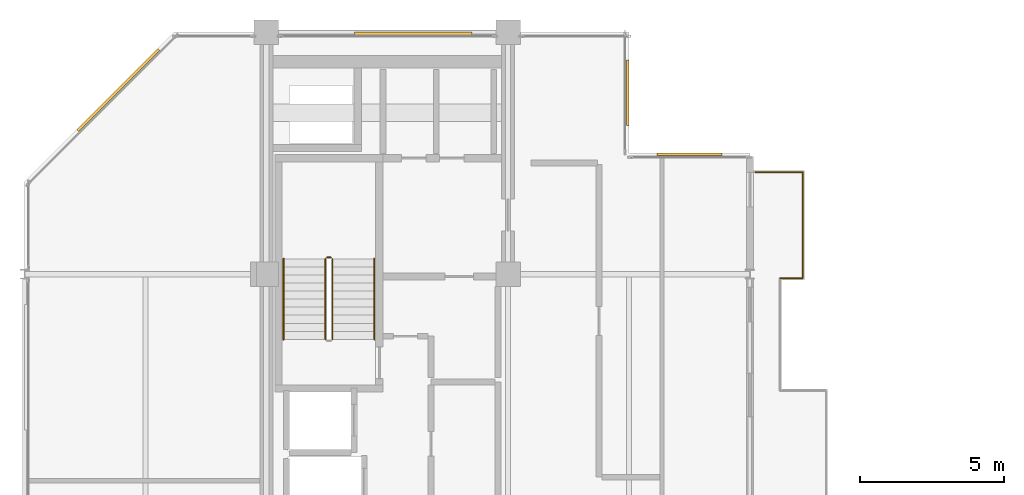
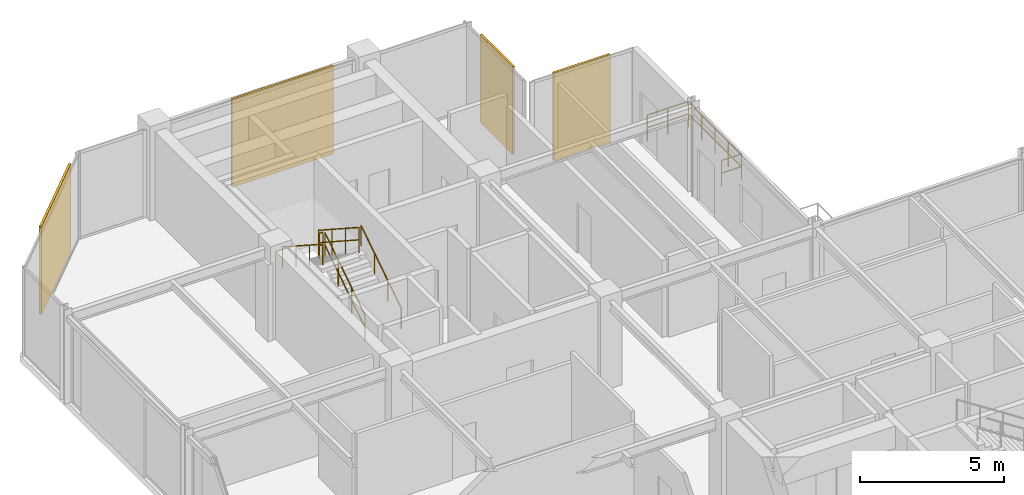
# One storey, part 24 of 24: 8 railings, 4 coverings.
"""IFC4 building model written with IfcOpenShell, lengths in metres."""

from ifc_helpers import new_model, si_unit, direction, frame, origin, origin_2d, place, context, subcontext, project, spatial, rectangle, circle, extrude, material, layer, layer_set, type_object, element, save


model = new_model("IFC4")

# Units and contexts
model_context = context("Model", 3, precision=1e-05, world=origin(), true_north=direction((0.0, 1.0)))
body_context = subcontext(model_context, "Body", "Model", "MODEL_VIEW")
ifc_project = project(units=[si_unit("LENGTHUNIT", "METRE"), si_unit("AREAUNIT", "SQUARE_METRE"), si_unit("VOLUMEUNIT", "CUBIC_METRE"), si_unit("PLANEANGLEUNIT", "RADIAN"), si_unit("MASSUNIT", "GRAM", prefix="KILO")], contexts=[model_context])

# Site, building, storey
site_placement = place(None, origin())
site = spatial("IfcSite", under=ifc_project, at=site_placement, CompositionType="ELEMENT")
building_placement = place(site_placement, origin())
building = spatial("IfcBuilding", under=site, at=building_placement, Name="Nerrivon Quay Data Exchange", CompositionType="ELEMENT")
storey_placement = place(building_placement, frame((0.0, 0.0, 298.199951171875)))
storey = spatial("IfcBuildingStorey", under=building, at=storey_placement, Name="L71", CompositionType="ELEMENT", Elevation=298.199951171875)

# Coverings
ifc_material_1 = material(Name="Architectural terracotta ceramic", Category="masonry")
ifc_layer = layer(ifc_material_1, 0.090087890625)
ifc_layer_set = layer_set([ifc_layer], Name="Architectural terracotta ceramic")
covering_type = type_object("IfcCoveringType", Name="COV-SCR-TERR", PredefinedType="CLADDING", material=ifc_layer_set)
covering_1_placement = place(storey_placement, frame((3.255859375, 39.9921875, 0.0), z_axis=(0.0, 0.0, 1.0), x_axis=(0.707106781187, 0.707106781187, 0.0)))
element("IfcCovering", 1, at=covering_1_placement, inside=storey, type_object=covering_type, Name="L71 Perforated Terracotta SOLAR SCREEN Cassette", PredefinedType="CLADDING", context=body_context, shape_type="SweptSolid", body=[
    extrude(rectangle(XDim=3.970947265625, YDim=0.090087890625, at=origin_2d()), origin(), (0.0, 0.0, 1.0), 3.72509765625),
])
covering_2_placement = place(storey_placement, frame((13.506103515625, 41.955078125, 0.0), z_axis=(0.0, 0.0, 1.0), x_axis=(1.0, 0.0, 0.0)))
element("IfcCovering", 2, at=covering_2_placement, inside=storey, type_object=covering_type, Name="L71 Perforated Terracotta SOLAR SCREEN Cassette", PredefinedType="CLADDING", context=body_context, shape_type="SweptSolid", body=[
    extrude(rectangle(XDim=4.076904296875, YDim=0.090087890625, at=origin_2d()), origin(), (0.0, 0.0, 1.0), 3.72509765625),
])
for number, where, z_axis, x_axis, name in (
    (3, (20.955078125, 39.89990234375, 0.0), (0.0, 0.0, 1.0), (0.0, -1.0, 0.0), "L71 Perforated Terracotta SOLAR SCREEN Cassette"),
    (4, (23.10009765625, 37.7548828125, 0.0), (0.0, 0.0, 1.0), (1.0, 0.0, 0.0), "L71 Perforated Terracotta SOLAR SCREEN Cassette"),
):
    element("IfcCovering", number, at=place(storey_placement, frame(where, z_axis=z_axis, x_axis=x_axis)), inside=storey, type_object=covering_type, Name=name, PredefinedType="CLADDING", context=body_context, shape_type="SweptSolid", body=[
        extrude(rectangle(XDim=2.26806640625, YDim=0.090087890625, at=origin_2d()), origin(), (0.0, 0.0, 1.0), 3.72509765625),
    ])

# Railings
ifc_material_2 = material(Name="Steel Grade C350L0 (350 MPa)", Category="steel")
railing_type_1 = type_object("IfcRailingType", Name="RAIL-GUARD-GR2", PredefinedType="BALUSTRADE", material=ifc_material_2)
railing_1_placement = place(storey_placement, frame((25.3798828125, 37.139892578125, 0.0)))
element("IfcRailing", 5, at=railing_1_placement, inside=storey, type_object=railing_type_1, Name="L71 Verandah Balcony Guard 1.4 1", PredefinedType="BALUSTRADE", context=body_context, shape_type="SweptSolid", body=[
    extrude(circle(Radius=0.02392578125, at=origin_2d()), frame((0.0, 0.0, 1.09619140625), z_axis=(1.0, 0.0, 0.0), x_axis=(0.0, 1.0, 0.0)), (0.0, 0.0, 1.0), 1.66015625),
    extrude(circle(Radius=0.02392578125, at=origin_2d()), frame((0.0, 0.0, 0.56005859375), z_axis=(1.0, 0.0, 0.0), x_axis=(0.0, 1.0, 0.0)), (0.0, 0.0, 1.0), 1.66015625),
    extrude(circle(Radius=0.02099609375, at=origin_2d()), origin(), (0.0, 0.0, 1.0), 1.072021484375),
    extrude(circle(Radius=0.02099609375, at=origin_2d()), frame((0.830078125, 0.0, 0.0)), (0.0, 0.0, 1.0), 1.072021484375),
    extrude(circle(Radius=0.02099609375, at=origin_2d()), frame((1.66015625, 0.0, 0.0)), (0.0, 0.0, 1.0), 1.072021484375),
])
railing_2_placement = place(storey_placement, frame((27.0400390625, 37.139892578125, 0.0)))
element("IfcRailing", 6, at=railing_2_placement, inside=storey, type_object=railing_type_1, Name="L71 Verandah Balcony Guard 1.5 1", PredefinedType="BALUSTRADE", context=body_context, shape_type="SweptSolid", body=[
    extrude(circle(Radius=0.02392578125, at=origin_2d()), frame((0.0, 0.0, 1.09619140625), z_axis=(0.0, -1.0, 0.0), x_axis=(1.0, 0.0, 0.0)), (0.0, 0.0, 1.0), 3.679931640625),
    extrude(circle(Radius=0.02392578125, at=origin_2d()), frame((0.0, 0.0, 0.56005859375), z_axis=(0.0, -1.0, 0.0), x_axis=(1.0, 0.0, 0.0)), (0.0, 0.0, 1.0), 3.679931640625),
    extrude(circle(Radius=0.02099609375, at=origin_2d()), origin(), (0.0, 0.0, 1.0), 1.072021484375),
    extrude(circle(Radius=0.02099609375, at=origin_2d()), frame((0.0, -0.919921875, 0.0)), (0.0, 0.0, 1.0), 1.072021484375),
    extrude(circle(Radius=0.02099609375, at=origin_2d()), frame((0.0, -1.83984375, 0.0)), (0.0, 0.0, 1.0), 1.072021484375),
    extrude(circle(Radius=0.02099609375, at=origin_2d()), frame((0.0, -2.760009765625, 0.0)), (0.0, 0.0, 1.0), 1.072021484375),
    extrude(circle(Radius=0.02099609375, at=origin_2d()), frame((0.0, -3.679931640625, 0.0)), (0.0, 0.0, 1.0), 1.072021484375),
])
railing_3_placement = place(storey_placement, frame((27.0400390625, 33.4599609375, 0.0)))
element("IfcRailing", 7, at=railing_3_placement, inside=storey, type_object=railing_type_1, Name="L71 Verandah Balcony Guard 1.6 1", PredefinedType="BALUSTRADE", context=body_context, shape_type="SweptSolid", body=[
    extrude(circle(Radius=0.02392578125, at=origin_2d()), frame((0.0, 0.0, 1.09619140625), z_axis=(-1.0, 0.0, 0.0), x_axis=(0.0, -1.0, 0.0)), (0.0, 0.0, 1.0), 0.800048828125),
    extrude(circle(Radius=0.02392578125, at=origin_2d()), frame((0.0, 0.0, 0.56005859375), z_axis=(-1.0, 0.0, 0.0), x_axis=(0.0, -1.0, 0.0)), (0.0, 0.0, 1.0), 0.800048828125),
    extrude(circle(Radius=0.02099609375, at=origin_2d()), origin(), (0.0, 0.0, 1.0), 1.072021484375),
    extrude(circle(Radius=0.02099609375, at=origin_2d()), frame((-0.800048828125, 0.0, 0.0)), (0.0, 0.0, 1.0), 1.072021484375),
])
railing_type_2 = type_object("IfcRailingType", Name="RAIL-HAND-HR1", PredefinedType="HANDRAIL", material=ifc_material_2)
railing_4_placement = place(storey_placement, frame((12.14990234375, 31.330078125, 0.181884765625)))
element("IfcRailing", 8, at=railing_4_placement, inside=storey, type_object=railing_type_2, Name="L71 ST01 stair handrail 1", PredefinedType="HANDRAIL", context=body_context, shape_type="SweptSolid", body=[
    extrude(circle(Radius=0.02392578125, at=origin_2d()), frame((0.0, 0.0, 0.8759765625), z_axis=(0.0, 0.83868413941, 0.544618136222), x_axis=(-1.0, 0.0, 0.0)), (0.0, 0.0, 1.0), 3.33837890625),
    extrude(circle(Radius=0.02099609375, at=origin_2d()), origin(), (0.0, 0.0, 1.0), 0.851806640625),
    extrude(circle(Radius=0.02099609375, at=origin_2d()), frame((0.0, 0.933349609375, 0.60595703125)), (0.0, 0.0, 1.0), 0.851806640625),
    extrude(circle(Radius=0.02099609375, at=origin_2d()), frame((0.0, 1.866455078125, 1.212158203125)), (0.0, 0.0, 1.0), 0.851806640625),
    extrude(circle(Radius=0.02099609375, at=origin_2d()), frame((0.0, 2.7998046875, 1.818115234375)), (0.0, 0.0, 1.0), 0.851806640625),
])
railing_5_placement = place(storey_placement, frame((9.0, 34.1298828125, 2.181884765625)))
element("IfcRailing", 9, at=railing_5_placement, inside=storey, type_object=railing_type_2, Name="L71 ST01 stair handrail 2", PredefinedType="HANDRAIL", context=body_context, shape_type="SweptSolid", body=[
    extrude(circle(Radius=0.02392578125, at=origin_2d()), frame((0.0, 0.0, 0.8759765625), z_axis=(0.0, -0.83868413941, 0.544618136222), x_axis=(1.0, 0.0, 0.0)), (0.0, 0.0, 1.0), 3.33837890625),
    extrude(circle(Radius=0.02099609375, at=origin_2d()), origin(), (0.0, 0.0, 1.0), 0.851806640625),
    extrude(circle(Radius=0.02099609375, at=origin_2d()), frame((0.0, -0.933349609375, 0.60595703125)), (0.0, 0.0, 1.0), 0.851806640625),
    extrude(circle(Radius=0.02099609375, at=origin_2d()), frame((0.0, -1.866455078125, 1.212158203125)), (0.0, 0.0, 1.0), 0.851806640625),
    extrude(circle(Radius=0.02099609375, at=origin_2d()), frame((0.0, -2.7998046875, 1.818115234375)), (0.0, 0.0, 1.0), 0.851806640625),
])
railing_type_3 = type_object("IfcRailingType", Name="RAIL-STAIR-GR1", PredefinedType="BALUSTRADE", material=ifc_material_2)
railing_6_placement = place(storey_placement, frame((10.699951171875, 31.330078125, 0.181884765625)))
element("IfcRailing", 10, at=railing_6_placement, inside=storey, type_object=railing_type_3, Name="L71 ST01 stair guard 1", PredefinedType="BALUSTRADE", context=body_context, shape_type="SweptSolid", body=[
    extrude(circle(Radius=0.02392578125, at=origin_2d()), frame((0.0, 0.0, 1.076171875), z_axis=(0.0, 0.83868413941, 0.544618136222), x_axis=(-1.0, 0.0, 0.0)), (0.0, 0.0, 1.0), 3.33837890625),
    extrude(circle(Radius=0.02392578125, at=origin_2d()), frame((0.0, 0.0, 0.550048828125), z_axis=(0.0, 0.83868413941, 0.544618136222), x_axis=(-1.0, 0.0, 0.0)), (0.0, 0.0, 1.0), 3.33837890625),
    extrude(circle(Radius=0.02099609375, at=origin_2d()), origin(), (0.0, 0.0, 1.0), 1.052001953125),
    extrude(circle(Radius=0.02099609375, at=origin_2d()), frame((0.0, 0.933349609375, 0.60595703125)), (0.0, 0.0, 1.0), 1.052001953125),
    extrude(circle(Radius=0.02099609375, at=origin_2d()), frame((0.0, 1.866455078125, 1.212158203125)), (0.0, 0.0, 1.0), 1.052001953125),
    extrude(circle(Radius=0.02099609375, at=origin_2d()), frame((0.0, 2.7998046875, 1.818115234375)), (0.0, 0.0, 1.0), 1.052001953125),
])
railing_7_placement = place(storey_placement, frame((10.64990234375, 34.179931640625, 2.0)))
element("IfcRailing", 11, at=railing_7_placement, inside=storey, type_object=railing_type_3, Name="L71 ST01 stair guard 2", PredefinedType="BALUSTRADE", context=body_context, shape_type="SweptSolid", body=[
    extrude(circle(Radius=0.02392578125, at=origin_2d()), frame((0.0, 0.0, 1.076171875), z_axis=(-1.0, 0.0, 0.0), x_axis=(0.0, -1.0, 0.0)), (0.0, 0.0, 1.0), 0.14990234375),
    extrude(circle(Radius=0.02392578125, at=origin_2d()), frame((0.0, 0.0, 0.550048828125), z_axis=(-1.0, 0.0, 0.0), x_axis=(0.0, -1.0, 0.0)), (0.0, 0.0, 1.0), 0.14990234375),
    extrude(circle(Radius=0.02099609375, at=origin_2d()), origin(), (0.0, 0.0, 1.0), 1.052001953125),
    extrude(circle(Radius=0.02099609375, at=origin_2d()), frame((-0.14990234375, 0.0, 0.0)), (0.0, 0.0, 1.0), 1.052001953125),
])
railing_8_placement = place(storey_placement, frame((10.449951171875, 34.1298828125, 2.181884765625)))
element("IfcRailing", 12, at=railing_8_placement, inside=storey, type_object=railing_type_3, Name="L71 ST01 stair guard 3", PredefinedType="BALUSTRADE", context=body_context, shape_type="SweptSolid", body=[
    extrude(circle(Radius=0.02392578125, at=origin_2d()), frame((0.0, 0.0, 1.076171875), z_axis=(0.0, -0.83868413941, 0.544618136222), x_axis=(1.0, 0.0, 0.0)), (0.0, 0.0, 1.0), 3.33837890625),
    extrude(circle(Radius=0.02392578125, at=origin_2d()), frame((0.0, 0.0, 0.550048828125), z_axis=(0.0, -0.83868413941, 0.544618136222), x_axis=(1.0, 0.0, 0.0)), (0.0, 0.0, 1.0), 3.33837890625),
    extrude(circle(Radius=0.02099609375, at=origin_2d()), origin(), (0.0, 0.0, 1.0), 1.052001953125),
    extrude(circle(Radius=0.02099609375, at=origin_2d()), frame((0.0, -0.933349609375, 0.60595703125)), (0.0, 0.0, 1.0), 1.052001953125),
    extrude(circle(Radius=0.02099609375, at=origin_2d()), frame((0.0, -1.866455078125, 1.212158203125)), (0.0, 0.0, 1.0), 1.052001953125),
    extrude(circle(Radius=0.02099609375, at=origin_2d()), frame((0.0, -2.7998046875, 1.818115234375)), (0.0, 0.0, 1.0), 1.052001953125),
])

save(model, "model.ifc")
